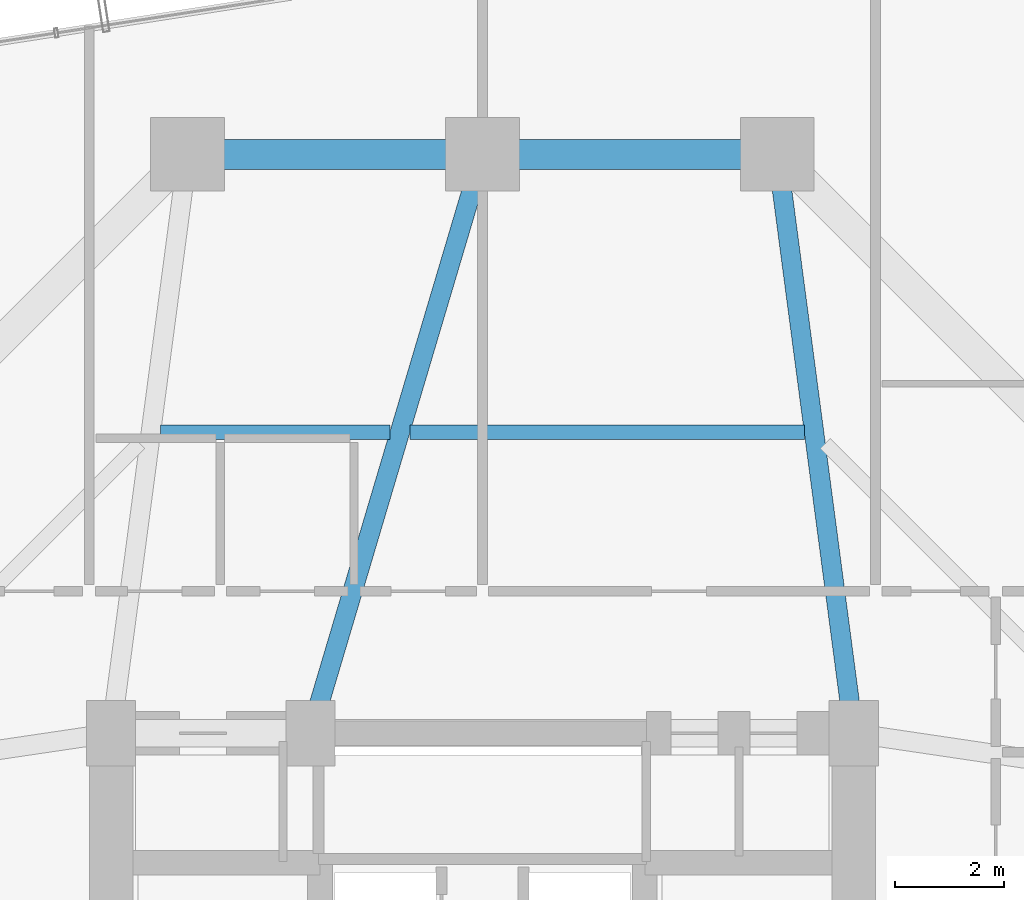
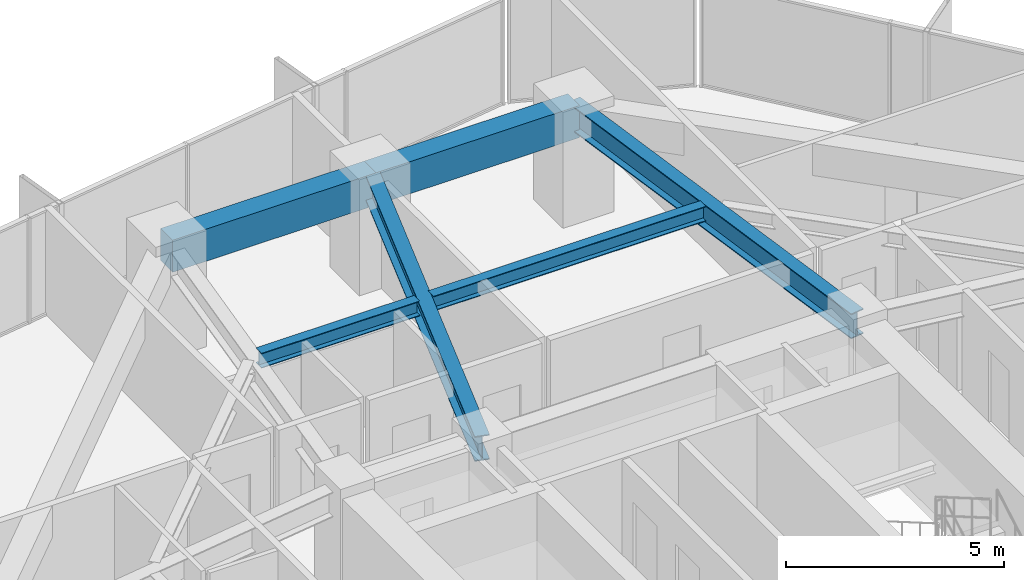
# One storey, part 24 of 37: 6 beams.
"""IFC4 building model written with IfcOpenShell, lengths in metres."""

import ifcopenshell
import ifcopenshell.guid

model = None  # the IFC model being written
_history = None  # IfcOwnerHistory: only IFC2X3 demands one
_inside = {}  # id of a spatial element -> (the spatial element, [elements in it])
_under = {}  # id of a project, library or spatial element -> (it, [spatial elements below it])
_declared = {}  # id of a project -> (the project, [libraries it declares])
_typed = {}  # id of a type object -> (the type object, [elements of that type])
_made_of = {}  # id of a material, layer set ... -> (it, [elements and type objects made of it])


def new_model(schema):
    """Start an empty IFC model of exactly this schema.

    Asked for "IFC4X3", IfcOpenShell would pick the latest addendum, in which some entities
    have other attributes; the version numbers below select the first issue.
    IFC2X3 requires an IfcOwnerHistory on every rooted entity: one is made here for all.
    """
    global model, _history
    if schema == "IFC4X3":
        model = ifcopenshell.file(schema_version=(4, 3, 0, 0))
    else:
        model = ifcopenshell.file(schema=schema)
    _inside.clear()
    _under.clear()
    _declared.clear()
    _typed.clear()
    _made_of.clear()
    _history = None
    if model.schema == "IFC2X3":
        org = make("IfcOrganization", Name="unknown")
        user = make(
            "IfcPersonAndOrganization",
            ThePerson=make("IfcPerson", FamilyName="unknown"),
            TheOrganization=org,
        )
        app = make(
            "IfcApplication",
            ApplicationDeveloper=org,
            Version="unknown",
            ApplicationFullName="unknown",
            ApplicationIdentifier="unknown",
        )
        _history = make(
            "IfcOwnerHistory",
            OwningUser=user,
            OwningApplication=app,
            ChangeAction="ADDED",
            CreationDate=0,
        )
    return model


def make(cls, **values):
    """One entity of the class cls with the attributes given. An attribute that is None is left unset."""
    return model.create_entity(
        cls, **{name: value for name, value in values.items() if value is not None}
    )


def rooted(cls, **values):
    """An entity with a GlobalId (a new one), such as an element, a storey or a relation."""
    return make(cls, GlobalId=ifcopenshell.guid.new(), OwnerHistory=_history, **values)


def si_unit(unit_type, name, prefix=None):
    """IfcSIUnit, for example si_unit("LENGTHUNIT", "METRE", prefix="MILLI")."""
    return make("IfcSIUnit", UnitType=unit_type, Prefix=prefix, Name=name)


def assignment(units):
    """IfcUnitAssignment: the units of a project."""
    return None if units is None else make("IfcUnitAssignment", Units=units)


def point(xyz):
    """IfcCartesianPoint."""
    return None if xyz is None else make("IfcCartesianPoint", Coordinates=xyz)


def direction(xyz):
    """IfcDirection."""
    return None if xyz is None else make("IfcDirection", DirectionRatios=xyz)


def frame(location, z_axis=None, x_axis=None):
    """IfcAxis2Placement3D, a coordinate frame: its origin and axes. An axis left out is left unset."""
    return make(
        "IfcAxis2Placement3D",
        Location=point(location),
        Axis=direction(z_axis),
        RefDirection=direction(x_axis),
    )


def frame_2d(location, x_axis=None):
    """IfcAxis2Placement2D, a coordinate frame in the plane: its origin and x axis."""
    return make(
        "IfcAxis2Placement2D", Location=point(location), RefDirection=direction(x_axis)
    )


def origin():
    """The frame at (0, 0, 0) with its axes left unset."""
    return frame((0.0, 0.0, 0.0))


def origin_2d():
    """The frame at (0, 0) in the plane with its x axis left unset."""
    return frame_2d((0.0, 0.0))


def place(relative_to, where):
    """IfcLocalPlacement: puts the frame where relative to a parent placement (None: the world)."""
    return make(
        "IfcLocalPlacement", PlacementRelTo=relative_to, RelativePlacement=where
    )


def context(
    kind, dimensions, precision=None, world=None, true_north=None, identifier=None
):
    """IfcGeometricRepresentationContext, for example the 3D "Model" context."""
    return make(
        "IfcGeometricRepresentationContext",
        ContextIdentifier=identifier,
        ContextType=kind,
        CoordinateSpaceDimension=dimensions,
        Precision=precision,
        WorldCoordinateSystem=world,
        TrueNorth=true_north,
    )


def subcontext(parent, identifier, kind, view, scale=None):
    """IfcGeometricRepresentationSubContext, for example "Body" below "Model"."""
    return make(
        "IfcGeometricRepresentationSubContext",
        ContextIdentifier=identifier,
        ContextType=kind,
        ParentContext=parent,
        TargetScale=scale,
        TargetView=view,
    )


def project(units=None, contexts=None):
    """IfcProject with its units and contexts."""
    return rooted(
        "IfcProject",
        Name="project",
        RepresentationContexts=contexts,
        UnitsInContext=assignment(units),
    )


def spatial(cls, under=None, at=None, **own):
    """A site, building, storey or space (cls), placed at a placement, below another one or the project."""
    s = rooted(cls, ObjectPlacement=at, **own)
    if under is not None:
        _under.setdefault(under.id(), (under, []))[1].append(s)
    return s


def profile(cls, at=None, kind="AREA", **sizes):
    """A parametric profile (cls). Its sizes go by their IFC names, for example OverallWidth=200.0."""
    return make(cls, ProfileType=kind, Position=at, **sizes)


def rectangle(**sizes):
    """IfcRectangleProfileDef."""
    return profile("IfcRectangleProfileDef", **sizes)


def i_section(**sizes):
    """IfcIShapeProfileDef."""
    return profile("IfcIShapeProfileDef", **sizes)


def extrude(swept, where, along, depth):
    """IfcExtrudedAreaSolid: the profile swept, set in the frame where, extruded along a direction by depth."""
    return make(
        "IfcExtrudedAreaSolid",
        SweptArea=swept,
        Position=where,
        ExtrudedDirection=direction(along),
        Depth=depth,
    )


def shape(context_of_items, identifier, shape_type, items):
    """IfcShapeRepresentation: the items that make up one representation, for example the "Body"."""
    return make(
        "IfcShapeRepresentation",
        ContextOfItems=context_of_items,
        RepresentationIdentifier=identifier,
        RepresentationType=shape_type,
        Items=items,
    )


def material(Name=None, Category=None):
    """IfcMaterial."""
    return make("IfcMaterial", Name=Name, Category=Category)


def material_profile(
    of_material, cross_section, Name=None, Category=None, Priority=None
):
    """IfcMaterialProfile: a cross section and its material."""
    return make(
        "IfcMaterialProfile",
        Name=Name,
        Material=of_material,
        Profile=cross_section,
        Priority=Priority,
        Category=Category,
    )


def profile_set(profiles, Name=None, composite=None):
    """IfcMaterialProfileSet."""
    return make(
        "IfcMaterialProfileSet",
        Name=Name,
        MaterialProfiles=profiles,
        CompositeProfile=composite,
    )


def made_of(thing, what):
    """Note that an element or type object is made of a material, layer set ...; save() writes the relation."""
    if what is not None:
        _made_of.setdefault(what.id(), (what, []))[1].append(thing)
    return thing


def type_object(cls, material=None, **own):
    """A type object (cls), such as IfcWallType, which elements share."""
    return made_of(rooted(cls, **own), material)


def element(
    cls,
    number,
    at=None,
    inside=None,
    cuts=None,
    type_object=None,
    material=None,
    context=None,
    identifier="Body",
    shape_type=None,
    held_by="IfcProductDefinitionShape",
    body=None,
    shapes=None,
    **own,
):
    """One element of the class cls, such as IfcWall. Its Tag is "e" and its number.

    at: its placement. inside: the storey or other place that contains it. cuts: it is an
    opening in that element (IfcRelVoidsElement). A single representation is given by context,
    identifier, shape_type and body (its items); several are given by shapes. held_by: the class
    of the entity that holds the representations. save() writes the other relations.
    """
    e = rooted(cls, Tag="e%d" % number, ObjectPlacement=at, **own)
    if body is not None:
        shapes = [shape(context, identifier, shape_type, body)]
    if shapes is not None:
        e.Representation = make(held_by, Representations=shapes)
    if inside is not None:
        _inside.setdefault(inside.id(), (inside, []))[1].append(e)
    if cuts is not None:
        rooted(
            "IfcRelVoidsElement", RelatingBuildingElement=cuts, RelatedOpeningElement=e
        )
    if type_object is not None:
        _typed.setdefault(type_object.id(), (type_object, []))[1].append(e)
    return made_of(e, material)


def aggregate(whole, parts):
    """IfcRelAggregates: a whole, such as a stair, and the parts it consists of."""
    return rooted("IfcRelAggregates", RelatingObject=whole, RelatedObjects=parts)


def save(model, path):
    """Write the relations noted so far, then the file.

    IfcRelAggregates (storeys below a building ...), IfcRelContainedInSpatialStructure (elements
    in a storey), IfcRelDefinesByType, IfcRelAssociatesMaterial and IfcRelDeclares: one each for
    every whole, place, type object, material and project.
    """
    for whole, parts in _under.values():
        aggregate(whole, parts)
    for where, things in _inside.values():
        rooted(
            "IfcRelContainedInSpatialStructure",
            RelatedElements=things,
            RelatingStructure=where,
        )
    for kind, things in _typed.values():
        rooted("IfcRelDefinesByType", RelatedObjects=things, RelatingType=kind)
    for what, things in _made_of.values():
        rooted("IfcRelAssociatesMaterial", RelatedObjects=things, RelatingMaterial=what)
    for by, libraries in _declared.values():
        rooted("IfcRelDeclares", RelatingContext=by, RelatedDefinitions=libraries)
    model.write(path)


model = new_model("IFC4")

# Units and contexts
model_context = context("Model", 3, precision=1e-05, world=origin(), true_north=direction((0.0, 1.0)))
body_context = subcontext(model_context, "Body", "Model", "MODEL_VIEW")
ifc_project = project(units=[si_unit("LENGTHUNIT", "METRE"), si_unit("AREAUNIT", "SQUARE_METRE"), si_unit("VOLUMEUNIT", "CUBIC_METRE"), si_unit("PLANEANGLEUNIT", "RADIAN"), si_unit("MASSUNIT", "GRAM", prefix="KILO")], contexts=[model_context])

# Site, building, storey
site_placement = place(None, origin())
site = spatial("IfcSite", under=ifc_project, at=site_placement, CompositionType="ELEMENT")
building_placement = place(site_placement, origin())
building = spatial("IfcBuilding", under=site, at=building_placement, Name="Veraguas Prism Commons", CompositionType="ELEMENT")
storey_placement = place(building_placement, frame((0.0, 0.0, 53.300048828125)))
storey = spatial("IfcBuildingStorey", under=building, at=storey_placement, Name="L14", CompositionType="ELEMENT", Elevation=53.300048828125)

# Beams
ifc_material_1 = material(Name="Steel ASTM A992 Grade 50", Category="steel")
ifc_material_profile_1 = material_profile(ifc_material_1, i_section(OverallWidth=0.260986328125, OverallDepth=0.419921875, WebThickness=0.01171875, FlangeThickness=0.019287109375, at=origin_2d()), Name="W410X114")
ifc_profile_set_1 = profile_set([ifc_material_profile_1], Name="Steel ASTM A992 Grade 50")
beam_type_1 = type_object("IfcBeamType", Name="Lower Floor Joist W410x114", PredefinedType="JOIST", material=ifc_profile_set_1)
beam_1_placement = place(storey_placement, frame((29.89453125, 36.511962890625, 2.760009765625), z_axis=(-1.0, 0.0, 0.0), x_axis=(0.0, -1.0, 0.0)))
element("IfcBeam", 1, at=beam_1_placement, inside=storey, type_object=beam_type_1, Name="Composite Floor Joist L14-JS04", PredefinedType="JOIST", context=body_context, shape_type="SweptSolid", body=[
    extrude(i_section(OverallWidth=0.260986328125, OverallDepth=0.419921875, WebThickness=0.01171875, FlangeThickness=0.019287109375, at=origin_2d()), origin(), (0.0, 0.0, 1.0), 7.222900390625),
])
beam_2_placement = place(storey_placement, frame((22.304443359375, 36.511962890625, 2.760009765625), z_axis=(-1.0, 0.0, 0.0), x_axis=(0.0, -1.0, 0.0)))
element("IfcBeam", 2, at=beam_2_placement, inside=storey, type_object=beam_type_1, Name="Composite Floor Joist L14-JS05", PredefinedType="JOIST", context=body_context, shape_type="SweptSolid", body=[
    extrude(i_section(OverallWidth=0.260986328125, OverallDepth=0.419921875, WebThickness=0.01171875, FlangeThickness=0.019287109375, at=origin_2d()), origin(), (0.0, 0.0, 1.0), 4.198974609375),
])
ifc_material_2 = material(Name="Concrete C50/60", Category="concrete")
ifc_material_profile_2 = material_profile(ifc_material_2, rectangle(XDim=0.550048828125, YDim=0.89990234375, at=origin_2d()), Name="RC550X900")
ifc_profile_set_2 = profile_set([ifc_material_profile_2], Name="Concrete C50/60")
beam_type_2 = type_object("IfcBeamType", Name="Perimeter Spandrel Lower RC 550x900", PredefinedType="SPANDREL", material=ifc_profile_set_2)
for number, where, z_axis, x_axis, name in (
    (3, (29.39990234375, 41.60009765625, 2.52001953125), (-1.0, 0.0, 0.0), (0.0, -1.0, 0.0), "Perimeter Spandrel Beam L14-SP04"),
    (4, (24.0, 41.60009765625, 2.52001953125), (-1.0, 0.0, 0.0), (0.0, -1.0, 0.0), "Perimeter Spandrel Beam L14-SP05"),
):
    element("IfcBeam", number, at=place(storey_placement, frame(where, z_axis=z_axis, x_axis=x_axis)), inside=storey, type_object=beam_type_2, Name=name, PredefinedType="SPANDREL", context=body_context, shape_type="SweptSolid", body=[
        extrude(rectangle(XDim=0.550048828125, YDim=0.89990234375, at=origin_2d()), origin(), (0.0, 0.0, 1.0), 5.39990234375),
    ])
ifc_material_profile_3 = material_profile(ifc_material_1, i_section(OverallWidth=0.35595703125, OverallDepth=0.700927734375, WebThickness=0.016845703125, FlangeThickness=0.02734375, at=origin_2d()), Name="W690X240")
ifc_profile_set_3 = profile_set([ifc_material_profile_3], Name="Steel ASTM A992 Grade 50")
beam_type_3 = type_object("IfcBeamType", Name="Zone 1 Radial Girder W690x240", PredefinedType="BEAM", material=ifc_profile_set_3)
beam_3_placement = place(storey_placement, frame((29.39990234375, 41.60009765625, 2.619384765625), z_axis=(0.130950648891, -0.991388888154, 0.0), x_axis=(0.991388888154, 0.130950648891, 0.0)))
element("IfcBeam", 5, at=beam_3_placement, inside=storey, type_object=beam_type_3, Name="Radial Floor Girder L14-RD04", PredefinedType="BEAM", context=body_context, shape_type="SweptSolid", body=[
    extrude(i_section(OverallWidth=0.35595703125, OverallDepth=0.700927734375, WebThickness=0.016845703125, FlangeThickness=0.02734375, at=origin_2d()), origin(), (0.0, 0.0, 1.0), 10.692138671875),
])
beam_4_placement = place(storey_placement, frame((24.0, 41.60009765625, 2.619384765625), z_axis=(-0.28484745997, -0.958572858237, 0.0), x_axis=(0.958572858237, -0.28484745997, 0.0)))
element("IfcBeam", 6, at=beam_4_placement, inside=storey, type_object=beam_type_3, Name="Radial Floor Girder L14-RD05", PredefinedType="BEAM", context=body_context, shape_type="SweptSolid", body=[
    extrude(i_section(OverallWidth=0.35595703125, OverallDepth=0.700927734375, WebThickness=0.016845703125, FlangeThickness=0.02734375, at=origin_2d()), origin(), (0.0, 0.0, 1.0), 11.05810546875),
])

save(model, "model.ifc")
